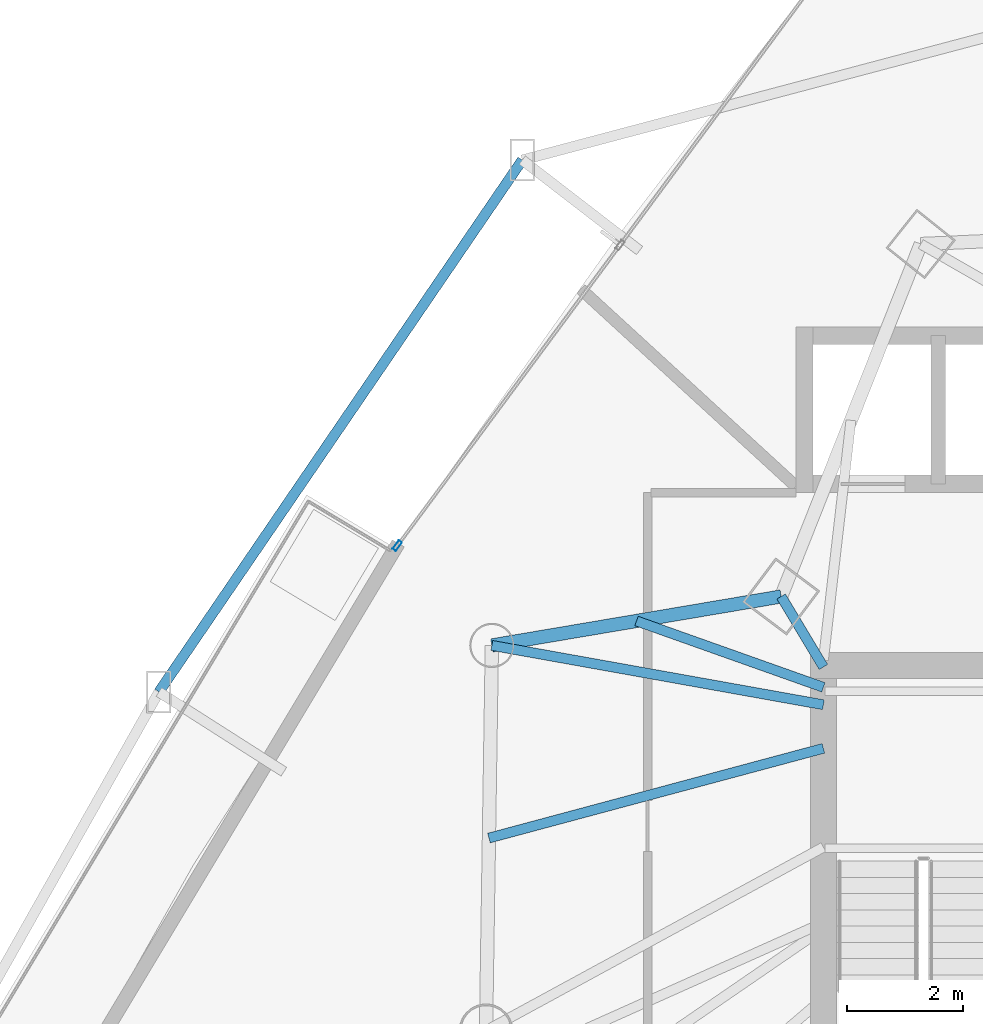
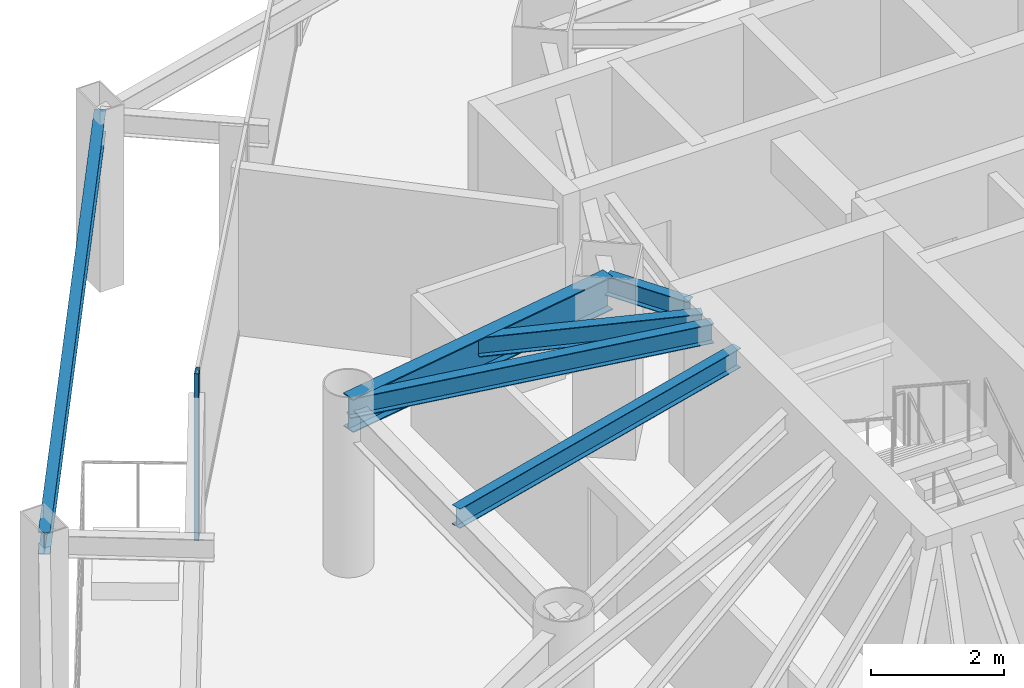
# One storey, part 21 of 35: 6 beams, 1 member, 1 element without a shape of its own.
"""IFC4 building model written with IfcOpenShell, lengths in metres."""

from ifc_helpers import new_model, si_unit, direction, frame, origin, origin_2d, place, context, subcontext, project, spatial, hollow_rectangle, i_section, extrude, material, layer, layer_set, material_profile, profile_set, type_object, element, aggregate, save


model = new_model("IFC4")

# Units and contexts
model_context = context("Model", 3, precision=1e-05, world=origin(), true_north=direction((0.0, 1.0)))
body_context = subcontext(model_context, "Body", "Model", "MODEL_VIEW")
ifc_project = project(units=[si_unit("LENGTHUNIT", "METRE"), si_unit("AREAUNIT", "SQUARE_METRE"), si_unit("VOLUMEUNIT", "CUBIC_METRE"), si_unit("PLANEANGLEUNIT", "RADIAN"), si_unit("MASSUNIT", "GRAM", prefix="KILO")], contexts=[model_context])

# Site, building, storey
site_placement = place(None, origin())
site = spatial("IfcSite", under=ifc_project, at=site_placement, CompositionType="ELEMENT")
building_placement = place(site_placement, origin())
building = spatial("IfcBuilding", under=site, at=building_placement, Name="Orvanel Arch Residences", CompositionType="ELEMENT")
storey_placement = place(building_placement, frame((0.0, 0.0, 36.800048828125)))
storey = spatial("IfcBuildingStorey", under=building, at=storey_placement, Name="L09", CompositionType="ELEMENT", Elevation=36.800048828125)

# Beams
ifc_material_1 = material(Name="Structural steel AS/NZS 3679.1 Grade 300 (300 MPa)", Category="steel")
ifc_material_profile_1 = material_profile(ifc_material_1, i_section(OverallWidth=0.1708984375, OverallDepth=0.35595703125, WebThickness=0.00732421875, FlangeThickness=0.011474609375, at=origin_2d()), Name="360UB50.7")
ifc_profile_set_1 = profile_set([ifc_material_profile_1], Name="Structural steel AS/NZS 3679.1 Grade 300 (300 MPa)")
beam_type_1 = type_object("IfcBeamType", Name="BJ-360UB", PredefinedType="JOIST", material=ifc_profile_set_1)
beam_1_placement = place(storey_placement, frame((26.375, 33.89990234375, 2.8818359375), z_axis=(-0.514064138778, 0.857751748015, 0.0), x_axis=(-0.857751748015, -0.514064138778, 0.0)))
element("IfcBeam", 1, at=beam_1_placement, inside=storey, type_object=beam_type_1, Name="L09 NNW Wing Floor Joist", PredefinedType="JOIST", context=body_context, shape_type="SweptSolid", body=[
    extrude(i_section(OverallWidth=0.1708984375, OverallDepth=0.35595703125, WebThickness=0.00732421875, FlangeThickness=0.011474609375, at=origin_2d()), origin(), (0.0, 0.0, 1.0), 1.414306640625),
])
beam_2_placement = place(storey_placement, frame((26.375, 32.5, 2.8818359375), z_axis=(-0.965844838168, -0.259121107949, 0.0), x_axis=(0.259121107949, -0.965844838168, 0.0)))
element("IfcBeam", 2, at=beam_2_placement, inside=storey, type_object=beam_type_1, Name="L09 WNW Wing Floor Joist", PredefinedType="JOIST", context=body_context, shape_type="SweptSolid", body=[
    extrude(i_section(OverallWidth=0.1708984375, OverallDepth=0.35595703125, WebThickness=0.00732421875, FlangeThickness=0.011474609375, at=origin_2d()), origin(), (0.0, 0.0, 1.0), 5.95849609375),
])
beam_3_placement = place(storey_placement, frame((26.375, 33.25, 2.8818359375), z_axis=(-0.984360855662, 0.176163860766, 0.0), x_axis=(-0.176163860766, -0.984360855662, 0.0)))
element("IfcBeam", 3, at=beam_3_placement, inside=storey, type_object=beam_type_1, Name="L09 LW Wing Floor Joist", PredefinedType="JOIST", context=body_context, shape_type="SweptSolid", body=[
    extrude(i_section(OverallWidth=0.1708984375, OverallDepth=0.35595703125, WebThickness=0.00732421875, FlangeThickness=0.011474609375, at=origin_2d()), origin(), (0.0, 0.0, 1.0), 5.795654296875),
])
beam_4_placement = place(storey_placement, frame((26.375, 33.550048828125, 2.8818359375), z_axis=(-0.942366638377, 0.334582006201, 0.0), x_axis=(-0.334582006201, -0.942366638377, 0.0)))
element("IfcBeam", 4, at=beam_4_placement, inside=storey, type_object=beam_type_1, Name="L09 JADD3 Wing Floor Joist", PredefinedType="JOIST", context=body_context, shape_type="SweptSolid", body=[
    extrude(i_section(OverallWidth=0.1708984375, OverallDepth=0.35595703125, WebThickness=0.00732421875, FlangeThickness=0.011474609375, at=origin_2d()), origin(), (0.0, 0.0, 1.0), 3.412841796875),
])

# Curtain wall, member
ifc_material_2 = material(Name="Bronze-anodised aluminium AA6063-T6", Category="aluminium")
ifc_layer = layer(ifc_material_2, 0.179931640625)
ifc_layer_set = layer_set([ifc_layer], Name="Bronze-anodised aluminium AA6063-T6")
curtain_wall_type = type_object("IfcCurtainWallType", Name="CW2-LOW-SYS", PredefinedType="NOTDEFINED", material=ifc_layer_set)
curtain_wall_placement = place(storey_placement, origin())
curtain_wall = element("IfcCurtainWall", 5, at=curtain_wall_placement, inside=storey, type_object=curtain_wall_type, Name="L09 CW2-LOW-SYS Unitised Curtain Wall", PredefinedType="NOTDEFINED")
ifc_material_profile_2 = material_profile(ifc_material_2, hollow_rectangle(XDim=0.070068359375, YDim=0.179931640625, WallThickness=0.00439453125, at=origin_2d()), Name="ALU180x70x4.5")
ifc_profile_set_2 = profile_set([ifc_material_profile_2], Name="Bronze-anodised aluminium AA6063-T6")
member_type = type_object("IfcMemberType", Name="MUL-180x70", PredefinedType="MULLION", material=ifc_profile_set_2)
member_placement = place(storey_placement, frame((19.041748046875, 35.988037109375, 0.0), z_axis=(0.0, 0.0, 1.0), x_axis=(0.803472332546, -0.595342095633, 0.0)))
member = element("IfcMember", 6, at=member_placement, type_object=member_type, Name="CW-S2 mullion 3", PredefinedType="MULLION", context=body_context, shape_type="SweptSolid", body=[
    extrude(hollow_rectangle(XDim=0.070068359375, YDim=0.179931640625, WallThickness=0.00439453125, at=origin_2d()), origin(), (0.0, 0.0, 1.0), 3.06005859375),
])
aggregate(curtain_wall, [member])

# Beams
ifc_material_profile_3 = material_profile(ifc_material_1, i_section(OverallWidth=0.177978515625, OverallDepth=0.406005859375, WebThickness=0.0078125, FlangeThickness=0.0126953125, at=origin_2d()), Name="410UB59.7")
ifc_profile_set_3 = profile_set([ifc_material_profile_3], Name="Structural steel AS/NZS 3679.1 Grade 300 (300 MPa)")
beam_type_2 = type_object("IfcBeamType", Name="OB-410UB-EXT", PredefinedType="SPANDREL", material=ifc_profile_set_3)
beam_5_placement = place(storey_placement, frame((21.193115234375, 42.623046875, 2.85693359375), z_axis=(-0.564102672435, -0.825704653585, 0.0), x_axis=(0.825704653585, -0.564102672435, 0.0)))
element("IfcBeam", 7, at=beam_5_placement, inside=storey, type_object=beam_type_2, Name="L09 Outer Perimeter Floor Ring Beam 01", PredefinedType="SPANDREL", context=body_context, shape_type="SweptSolid", body=[
    extrude(i_section(OverallWidth=0.177978515625, OverallDepth=0.406005859375, WebThickness=0.0078125, FlangeThickness=0.0126953125, at=origin_2d()), origin(), (0.0, 0.0, 1.0), 11.085205078125),
])
ifc_material_profile_4 = material_profile(ifc_material_1, i_section(OverallWidth=0.22900390625, OverallDepth=0.612060546875, WebThickness=0.011962890625, FlangeThickness=0.01953125, at=origin_2d()), Name="610UB125")
ifc_profile_set_4 = profile_set([ifc_material_profile_4], Name="Structural steel AS/NZS 3679.1 Grade 300 (300 MPa)")
beam_type_3 = type_object("IfcBeamType", Name="SP-610UB", PredefinedType="SPANDREL", material=ifc_profile_set_4)
beam_6_placement = place(storey_placement, frame((25.64794921875, 35.113037109375, 2.75390625), z_axis=(-0.985993733897, -0.166782363326, 0.0), x_axis=(0.166782363326, -0.985993733897, 0.0)))
element("IfcBeam", 8, at=beam_6_placement, inside=storey, type_object=beam_type_3, Name="L09 Perimeter Spandrel Beam 19", PredefinedType="SPANDREL", context=body_context, shape_type="SweptSolid", body=[
    extrude(i_section(OverallWidth=0.22900390625, OverallDepth=0.612060546875, WebThickness=0.011962890625, FlangeThickness=0.01953125, at=origin_2d()), origin(), (0.0, 0.0, 1.0), 5.048828125),
])

save(model, "model.ifc")
